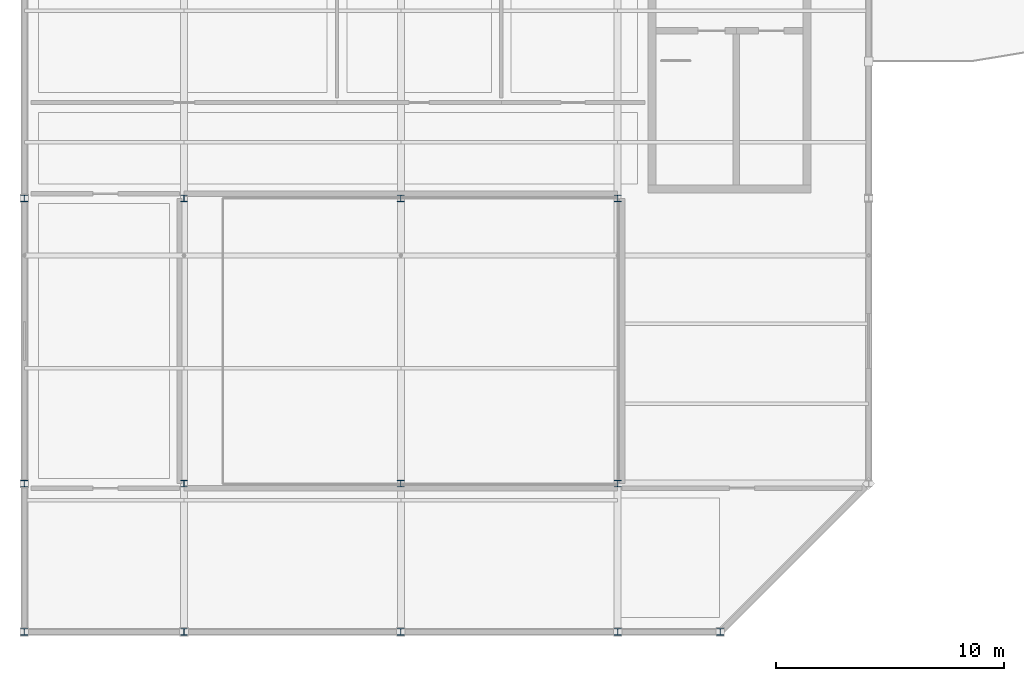
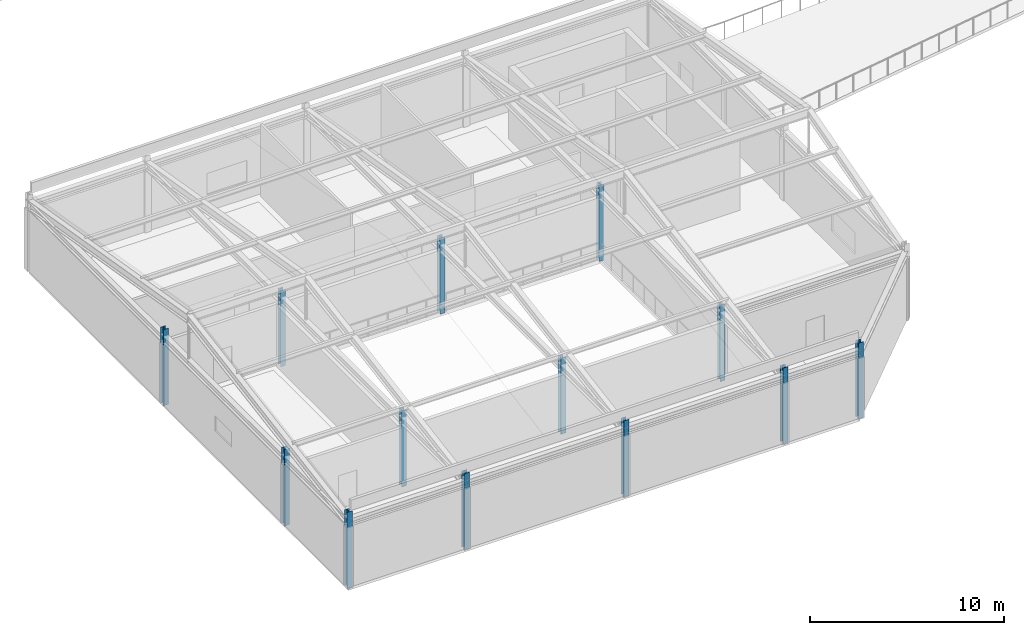
# One storey, part 1 of 108: 13 columns.
"""IFC4 building model written with IfcOpenShell, lengths in metres."""

import ifcopenshell
import ifcopenshell.guid

model = None  # the IFC model being written
_history = None  # IfcOwnerHistory: only IFC2X3 demands one
_inside = {}  # id of a spatial element -> (the spatial element, [elements in it])
_under = {}  # id of a project, library or spatial element -> (it, [spatial elements below it])
_declared = {}  # id of a project -> (the project, [libraries it declares])
_typed = {}  # id of a type object -> (the type object, [elements of that type])
_made_of = {}  # id of a material, layer set ... -> (it, [elements and type objects made of it])


def new_model(schema):
    """Start an empty IFC model of exactly this schema.

    Asked for "IFC4X3", IfcOpenShell would pick the latest addendum, in which some entities
    have other attributes; the version numbers below select the first issue.
    IFC2X3 requires an IfcOwnerHistory on every rooted entity: one is made here for all.
    """
    global model, _history
    if schema == "IFC4X3":
        model = ifcopenshell.file(schema_version=(4, 3, 0, 0))
    else:
        model = ifcopenshell.file(schema=schema)
    _inside.clear()
    _under.clear()
    _declared.clear()
    _typed.clear()
    _made_of.clear()
    _history = None
    if model.schema == "IFC2X3":
        org = make("IfcOrganization", Name="unknown")
        user = make(
            "IfcPersonAndOrganization",
            ThePerson=make("IfcPerson", FamilyName="unknown"),
            TheOrganization=org,
        )
        app = make(
            "IfcApplication",
            ApplicationDeveloper=org,
            Version="unknown",
            ApplicationFullName="unknown",
            ApplicationIdentifier="unknown",
        )
        _history = make(
            "IfcOwnerHistory",
            OwningUser=user,
            OwningApplication=app,
            ChangeAction="ADDED",
            CreationDate=0,
        )
    return model


def make(cls, **values):
    """One entity of the class cls with the attributes given. An attribute that is None is left unset."""
    return model.create_entity(
        cls, **{name: value for name, value in values.items() if value is not None}
    )


def rooted(cls, **values):
    """An entity with a GlobalId (a new one), such as an element, a storey or a relation."""
    return make(cls, GlobalId=ifcopenshell.guid.new(), OwnerHistory=_history, **values)


def si_unit(unit_type, name, prefix=None):
    """IfcSIUnit, for example si_unit("LENGTHUNIT", "METRE", prefix="MILLI")."""
    return make("IfcSIUnit", UnitType=unit_type, Prefix=prefix, Name=name)


def assignment(units):
    """IfcUnitAssignment: the units of a project."""
    return None if units is None else make("IfcUnitAssignment", Units=units)


def point(xyz):
    """IfcCartesianPoint."""
    return None if xyz is None else make("IfcCartesianPoint", Coordinates=xyz)


def direction(xyz):
    """IfcDirection."""
    return None if xyz is None else make("IfcDirection", DirectionRatios=xyz)


def frame(location, z_axis=None, x_axis=None):
    """IfcAxis2Placement3D, a coordinate frame: its origin and axes. An axis left out is left unset."""
    return make(
        "IfcAxis2Placement3D",
        Location=point(location),
        Axis=direction(z_axis),
        RefDirection=direction(x_axis),
    )


def frame_2d(location, x_axis=None):
    """IfcAxis2Placement2D, a coordinate frame in the plane: its origin and x axis."""
    return make(
        "IfcAxis2Placement2D", Location=point(location), RefDirection=direction(x_axis)
    )


def origin():
    """The frame at (0, 0, 0) with its axes left unset."""
    return frame((0.0, 0.0, 0.0))


def origin_2d():
    """The frame at (0, 0) in the plane with its x axis left unset."""
    return frame_2d((0.0, 0.0))


def place(relative_to, where):
    """IfcLocalPlacement: puts the frame where relative to a parent placement (None: the world)."""
    return make(
        "IfcLocalPlacement", PlacementRelTo=relative_to, RelativePlacement=where
    )


def context(
    kind, dimensions, precision=None, world=None, true_north=None, identifier=None
):
    """IfcGeometricRepresentationContext, for example the 3D "Model" context."""
    return make(
        "IfcGeometricRepresentationContext",
        ContextIdentifier=identifier,
        ContextType=kind,
        CoordinateSpaceDimension=dimensions,
        Precision=precision,
        WorldCoordinateSystem=world,
        TrueNorth=true_north,
    )


def subcontext(parent, identifier, kind, view, scale=None):
    """IfcGeometricRepresentationSubContext, for example "Body" below "Model"."""
    return make(
        "IfcGeometricRepresentationSubContext",
        ContextIdentifier=identifier,
        ContextType=kind,
        ParentContext=parent,
        TargetScale=scale,
        TargetView=view,
    )


def project(units=None, contexts=None):
    """IfcProject with its units and contexts."""
    return rooted(
        "IfcProject",
        Name="project",
        RepresentationContexts=contexts,
        UnitsInContext=assignment(units),
    )


def spatial(cls, under=None, at=None, **own):
    """A site, building, storey or space (cls), placed at a placement, below another one or the project."""
    s = rooted(cls, ObjectPlacement=at, **own)
    if under is not None:
        _under.setdefault(under.id(), (under, []))[1].append(s)
    return s


def profile(cls, at=None, kind="AREA", **sizes):
    """A parametric profile (cls). Its sizes go by their IFC names, for example OverallWidth=200.0."""
    return make(cls, ProfileType=kind, Position=at, **sizes)


def i_section(**sizes):
    """IfcIShapeProfileDef."""
    return profile("IfcIShapeProfileDef", **sizes)


def extrude(swept, where, along, depth):
    """IfcExtrudedAreaSolid: the profile swept, set in the frame where, extruded along a direction by depth."""
    return make(
        "IfcExtrudedAreaSolid",
        SweptArea=swept,
        Position=where,
        ExtrudedDirection=direction(along),
        Depth=depth,
    )


def shape(context_of_items, identifier, shape_type, items):
    """IfcShapeRepresentation: the items that make up one representation, for example the "Body"."""
    return make(
        "IfcShapeRepresentation",
        ContextOfItems=context_of_items,
        RepresentationIdentifier=identifier,
        RepresentationType=shape_type,
        Items=items,
    )


def material(Name=None, Category=None):
    """IfcMaterial."""
    return make("IfcMaterial", Name=Name, Category=Category)


def material_profile(
    of_material, cross_section, Name=None, Category=None, Priority=None
):
    """IfcMaterialProfile: a cross section and its material."""
    return make(
        "IfcMaterialProfile",
        Name=Name,
        Material=of_material,
        Profile=cross_section,
        Priority=Priority,
        Category=Category,
    )


def profile_set(profiles, Name=None, composite=None):
    """IfcMaterialProfileSet."""
    return make(
        "IfcMaterialProfileSet",
        Name=Name,
        MaterialProfiles=profiles,
        CompositeProfile=composite,
    )


def made_of(thing, what):
    """Note that an element or type object is made of a material, layer set ...; save() writes the relation."""
    if what is not None:
        _made_of.setdefault(what.id(), (what, []))[1].append(thing)
    return thing


def type_object(cls, material=None, **own):
    """A type object (cls), such as IfcWallType, which elements share."""
    return made_of(rooted(cls, **own), material)


def element(
    cls,
    number,
    at=None,
    inside=None,
    cuts=None,
    type_object=None,
    material=None,
    context=None,
    identifier="Body",
    shape_type=None,
    held_by="IfcProductDefinitionShape",
    body=None,
    shapes=None,
    **own,
):
    """One element of the class cls, such as IfcWall. Its Tag is "e" and its number.

    at: its placement. inside: the storey or other place that contains it. cuts: it is an
    opening in that element (IfcRelVoidsElement). A single representation is given by context,
    identifier, shape_type and body (its items); several are given by shapes. held_by: the class
    of the entity that holds the representations. save() writes the other relations.
    """
    e = rooted(cls, Tag="e%d" % number, ObjectPlacement=at, **own)
    if body is not None:
        shapes = [shape(context, identifier, shape_type, body)]
    if shapes is not None:
        e.Representation = make(held_by, Representations=shapes)
    if inside is not None:
        _inside.setdefault(inside.id(), (inside, []))[1].append(e)
    if cuts is not None:
        rooted(
            "IfcRelVoidsElement", RelatingBuildingElement=cuts, RelatedOpeningElement=e
        )
    if type_object is not None:
        _typed.setdefault(type_object.id(), (type_object, []))[1].append(e)
    return made_of(e, material)


def aggregate(whole, parts):
    """IfcRelAggregates: a whole, such as a stair, and the parts it consists of."""
    return rooted("IfcRelAggregates", RelatingObject=whole, RelatedObjects=parts)


def save(model, path):
    """Write the relations noted so far, then the file.

    IfcRelAggregates (storeys below a building ...), IfcRelContainedInSpatialStructure (elements
    in a storey), IfcRelDefinesByType, IfcRelAssociatesMaterial and IfcRelDeclares: one each for
    every whole, place, type object, material and project.
    """
    for whole, parts in _under.values():
        aggregate(whole, parts)
    for where, things in _inside.values():
        rooted(
            "IfcRelContainedInSpatialStructure",
            RelatedElements=things,
            RelatingStructure=where,
        )
    for kind, things in _typed.values():
        rooted("IfcRelDefinesByType", RelatedObjects=things, RelatingType=kind)
    for what, things in _made_of.values():
        rooted("IfcRelAssociatesMaterial", RelatedObjects=things, RelatingMaterial=what)
    for by, libraries in _declared.values():
        rooted("IfcRelDeclares", RelatingContext=by, RelatedDefinitions=libraries)
    model.write(path)


model = new_model("IFC4")

# Units and contexts
model_context = context("Model", 3, precision=1e-05, world=origin(), true_north=direction((0.0, 1.0)))
body_context = subcontext(model_context, "Body", "Model", "MODEL_VIEW")
ifc_project = project(units=[si_unit("LENGTHUNIT", "METRE"), si_unit("AREAUNIT", "SQUARE_METRE"), si_unit("VOLUMEUNIT", "CUBIC_METRE"), si_unit("PLANEANGLEUNIT", "RADIAN"), si_unit("MASSUNIT", "GRAM", prefix="KILO")], contexts=[model_context])

# Site, building, storey
site_placement = place(None, origin())
site = spatial("IfcSite", under=ifc_project, at=site_placement, CompositionType="ELEMENT")
building_placement = place(site_placement, origin())
building = spatial("IfcBuilding", under=site, at=building_placement, Name="Tarnveldt Headland Concert Hall", CompositionType="ELEMENT")
storey_placement = place(building_placement, frame((0.0, 0.0, 9.60009765625)))
storey = spatial("IfcBuildingStorey", under=building, at=storey_placement, Name="L02", CompositionType="ELEMENT", Elevation=9.60009765625)

# Columns
ifc_material = material(Name="Steel S355", Category="steel")
ifc_material_profile = material_profile(ifc_material, i_section(OverallWidth=0.300048828125, OverallDepth=0.2900390625, WebThickness=0.008544921875, FlangeThickness=0.013916015625, FilletRadius=0.027099609375, at=origin_2d()), Name="HEA300", Category="steel")
ifc_profile_set = profile_set([ifc_material_profile], Name="Steel S355")
column_type = type_object("IfcColumnType", Name="SC-HEA300", PredefinedType="COLUMN", material=ifc_profile_set)
for number, where, z_axis, x_axis, name in (
    (1, (7.5, 5.0, 0.0), (0.0, 0.0, 1.0), (1.0, 0.0, 0.0), "Column V4C01 L02"),
    (2, (14.5, 5.0, 0.0), (0.0, 0.0, 1.0), (1.0, 0.0, 0.0), "Column V4C02 L02"),
    (3, (24.0, 5.0, 0.0), (0.0, 0.0, 1.0), (1.0, 0.0, 0.0), "Column V4C03 L02"),
    (4, (33.5, 5.0, 0.0), (0.0, 0.0, 1.0), (1.0, 0.0, 0.0), "Column V4C04 L02"),
    (5, (38.0, 5.0, 0.0), (0.0, 0.0, 1.0), (1.0, 0.0, 0.0), "Column V4C05 L02"),
    (6, (7.5, 24.0, 0.0), (0.0, 0.0, 1.0), (1.0, 0.0, 0.0), "Column V4C13 L02"),
    (7, (7.5, 11.5, 0.0), (0.0, 0.0, 1.0), (1.0, 0.0, 0.0), "Column V4C14 L02"),
    (8, (14.5, 11.5, 0.0), (0.0, 0.0, 1.0), (1.0, 0.0, 0.0), "Column V4C15 L02"),
    (9, (24.0, 11.5, 0.0), (0.0, 0.0, 1.0), (1.0, 0.0, 0.0), "Column V4C16 L02"),
    (10, (33.5, 11.5, 0.0), (0.0, 0.0, 1.0), (1.0, 0.0, 0.0), "Column V4C17 L02"),
    (11, (14.5, 24.0, 0.0), (0.0, 0.0, 1.0), (1.0, 0.0, 0.0), "Column V4C18 L02"),
    (12, (24.0, 24.0, 0.0), (0.0, 0.0, 1.0), (1.0, 0.0, 0.0), "Column V4C19 L02"),
    (13, (33.5, 24.0, 0.0), (0.0, 0.0, 1.0), (1.0, 0.0, 0.0), "Column V4C20 L02"),
):
    element("IfcColumn", number, at=place(storey_placement, frame(where, z_axis=z_axis, x_axis=x_axis)), inside=storey, type_object=column_type, Name=name, PredefinedType="COLUMN", context=body_context, shape_type="SweptSolid", body=[
        extrude(i_section(OverallWidth=0.300048828125, OverallDepth=0.2900390625, WebThickness=0.008544921875, FlangeThickness=0.013916015625, FilletRadius=0.027099609375, at=origin_2d()), origin(), (0.0, 0.0, 1.0), 4.7998046875),
    ])

save(model, "model.ifc")
